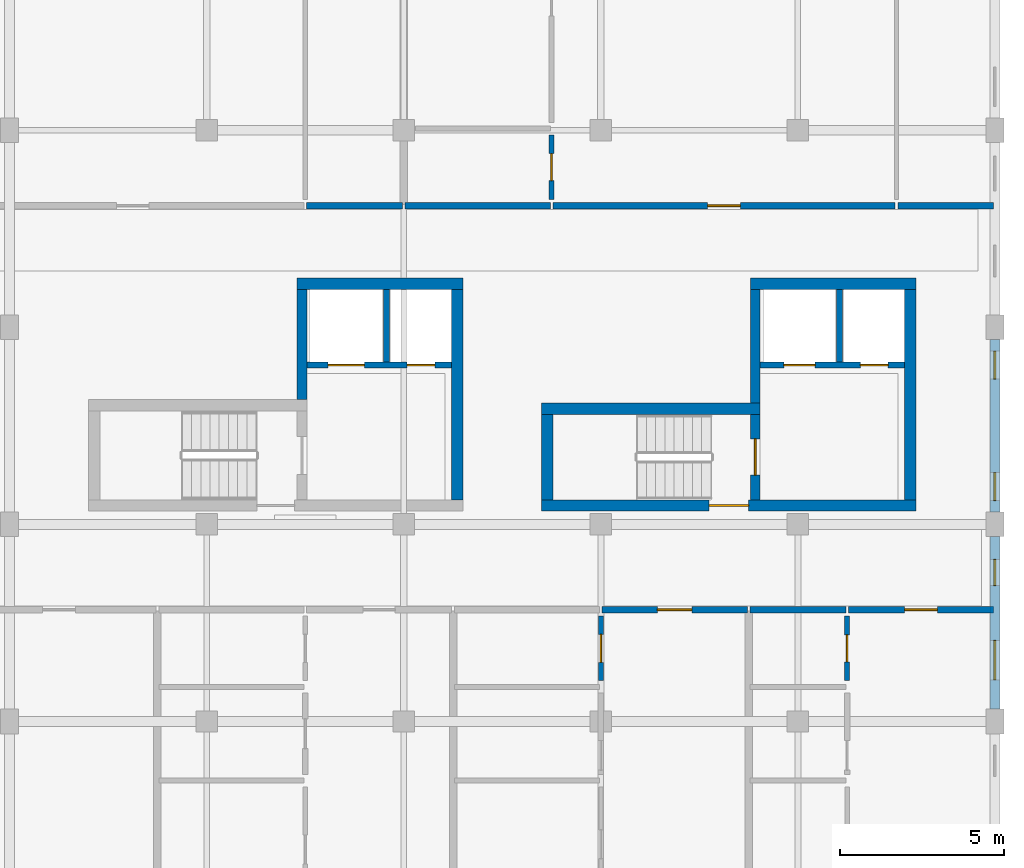
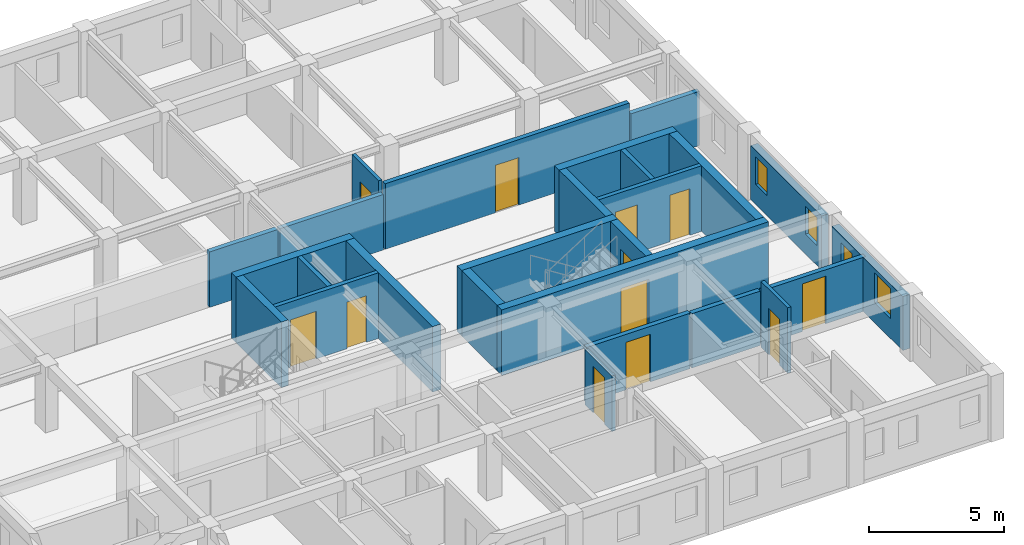
# One storey, part 79 of 100: 26 walls, 12 doors, 4 windows, 16 openings.
"""IFC4 building model written with IfcOpenShell, lengths in metres."""

from ifc_helpers import new_model, si_unit, direction, frame, frame_2d, origin, place, context, subcontext, project, spatial, rectangle, extrude, material, layer, layer_set, type_object, element, fill, save


model = new_model("IFC4")

# Units and contexts
model_context = context("Model", 3, precision=1e-05, world=origin(), true_north=direction((0.0, 1.0)))
body_context = subcontext(model_context, "Body", "Model", "MODEL_VIEW")
ifc_project = project(units=[si_unit("LENGTHUNIT", "METRE"), si_unit("AREAUNIT", "SQUARE_METRE"), si_unit("VOLUMEUNIT", "CUBIC_METRE"), si_unit("PLANEANGLEUNIT", "RADIAN"), si_unit("MASSUNIT", "GRAM", prefix="KILO"), si_unit("POWERUNIT", "WATT"), si_unit("THERMODYNAMICTEMPERATUREUNIT", "KELVIN")], contexts=[model_context])

# Site, building, storey
site_placement = place(None, origin())
site = spatial("IfcSite", under=ifc_project, at=site_placement, CompositionType="ELEMENT")
building_placement = place(site_placement, origin())
building = spatial("IfcBuilding", under=site, at=building_placement, Name="Ruvembo Vaulted Housing Court", CompositionType="ELEMENT")
storey_placement = place(building_placement, frame((0.0, 0.0, 10.89990234375)))
storey = spatial("IfcBuildingStorey", under=building, at=storey_placement, Name="L03", CompositionType="ELEMENT", Elevation=10.89990234375)

# Wall
ifc_material_1 = material(Name="Concrete C35/45", Category="concrete")
ifc_layer_1 = layer(ifc_material_1, 0.300048828125, Name="Concrete C35/45")
ifc_layer_set_1 = layer_set([ifc_layer_1], Name="Concrete C35/45")
wall_type_1 = type_object("IfcWallType", Name="WL-CORE-300", PredefinedType="SHEAR", material=ifc_layer_set_1)
wall_1_placement = place(storey_placement, frame((164.89990234375, 87.800048828125, 0.0), z_axis=(0.0, 0.0, 1.0), x_axis=(0.0, 1.0, 0.0)))
element("IfcWall", 1, at=wall_1_placement, inside=storey, type_object=wall_type_1, Name="Core D1 L03 Upper West Shear Wall", PredefinedType="SHEAR", context=body_context, shape_type="SweptSolid", body=[
    extrude(rectangle(XDim=3.349853515625, YDim=0.300048828125, at=frame_2d((1.6748046875, 0.0))), origin(), (0.0, 0.0, 1.0), 2.960205078125),
])

# Wall, opening, door
wall_2_placement = place(storey_placement, frame((178.699951171875, 84.75, 0.0), z_axis=(0.0, 0.0, 1.0), x_axis=(0.0, 1.0, 0.0)))
wall_2 = element("IfcWall", 2, at=wall_2_placement, inside=storey, type_object=wall_type_1, Name="Core D2 L03 Stair-Lobby Shear Wall", PredefinedType="SHEAR", context=body_context, shape_type="SweptSolid", body=[
    extrude(rectangle(XDim=2.60009765625, YDim=0.300048828125, at=frame_2d((1.300048828125, 0.0))), origin(), (0.0, 0.0, 1.0), 2.960205078125),
])
opening_1_placement = place(wall_2_placement, frame((0.75, 0.0, 0.0)))
opening_1 = element("IfcOpeningElement", 3, at=opening_1_placement, cuts=wall_2, Name="Opening SD2", PredefinedType="OPENING", context=body_context, shape_type="SweptSolid", body=[
    extrude(rectangle(XDim=1.10009765625, YDim=2.14990234375, at=frame_2d((0.550048828125, 1.074951171875))), frame((0.0, 0.159912109375, 0.0), z_axis=(0.0, -1.0, 0.0), x_axis=(1.0, 0.0, 0.0)), (0.0, 0.0, 1.0), 0.320068359375),
])
ifc_material_2 = material(Name="Galvanised Painted Steel", Category="steel")
door_type_1 = type_object("IfcDoorType", Name="DR-STAIR-1100x2150", OperationType="NOTDEFINED", PredefinedType="DOOR", material=ifc_material_2)
door_1_placement = place(opening_1_placement, origin())
door_1 = element("IfcDoor", 4, at=door_1_placement, inside=storey, type_object=door_type_1, Name="Stair ST-D2 L03 Fire Door", OperationType="SINGLE_SWING_RIGHT", OverallHeight=2.14990234375, OverallWidth=1.10009765625, PredefinedType="DOOR", context=body_context, shape_type="SweptSolid", body=[
    extrude(rectangle(XDim=1.10009765625, YDim=2.14990234375, at=frame_2d((0.550048828125, 1.074951171875))), frame((0.0, 0.02490234375, 0.0), z_axis=(0.0, -1.0, 0.0), x_axis=(1.0, 0.0, 0.0)), (0.0, 0.0, 1.0), 0.050048828125),
])
fill(opening_1, door_1)

# Walls
wall_3_placement = place(storey_placement, frame((178.699951171875, 87.699951171875, 0.0), z_axis=(0.0, 0.0, 1.0), x_axis=(0.0, 1.0, 0.0)))
element("IfcWall", 5, at=wall_3_placement, inside=storey, type_object=wall_type_1, Name="Core D2 L03 Upper West Shear Wall", PredefinedType="SHEAR", context=body_context, shape_type="SweptSolid", body=[
    extrude(rectangle(XDim=3.449951171875, YDim=0.300048828125, at=frame_2d((1.72509765625, 0.0))), origin(), (0.0, 0.0, 1.0), 2.960205078125),
])
ifc_layer_2 = layer(ifc_material_1, 0.35009765625, Name="Concrete C35/45")
ifc_layer_set_2 = layer_set([ifc_layer_2], Name="Concrete C35/45")
wall_type_2 = type_object("IfcWallType", Name="WL-CORE-350", PredefinedType="SHEAR", material=ifc_layer_set_2)
wall_4_placement = place(storey_placement, frame((169.800048828125, 91.324951171875, 0.0), z_axis=(0.0, 0.0, 1.0), x_axis=(-1.0, 0.0, 0.0)))
element("IfcWall", 6, at=wall_4_placement, inside=storey, type_object=wall_type_2, Name="Core D1 L03 North Shear Wall", PredefinedType="SHEAR", context=body_context, shape_type="SweptSolid", body=[
    extrude(rectangle(XDim=5.050048828125, YDim=0.35009765625, at=frame_2d((2.52490234375, 0.0))), origin(), (0.0, 0.0, 1.0), 2.960205078125),
])
wall_5_placement = place(storey_placement, frame((169.625, 84.75, 0.0), z_axis=(0.0, 0.0, 1.0), x_axis=(0.0, 1.0, 0.0)))
element("IfcWall", 7, at=wall_5_placement, inside=storey, type_object=wall_type_2, Name="Core D1 L03 East Shear Wall", PredefinedType="SHEAR", context=body_context, shape_type="SweptSolid", body=[
    extrude(rectangle(XDim=6.39990234375, YDim=0.35009765625, at=frame_2d((3.199951171875, 0.0))), origin(), (0.0, 0.0, 1.0), 2.960205078125),
])

# Wall, opening, door
wall_6_placement = place(storey_placement, frame((172.199951171875, 84.574951171875, 0.0), z_axis=(0.0, 0.0, 1.0), x_axis=(1.0, 0.0, 0.0)))
wall_6 = element("IfcWall", 8, at=wall_6_placement, inside=storey, type_object=wall_type_2, Name="Core D2 L03 South Shear Wall", PredefinedType="SHEAR", context=body_context, shape_type="SweptSolid", body=[
    extrude(rectangle(XDim=11.400146484375, YDim=0.35009765625, at=frame_2d((5.7001953125, 0.0))), origin(), (0.0, 0.0, 1.0), 2.960205078125),
])
opening_2_placement = place(wall_6_placement, frame((5.10009765625, 0.0, 0.0)))
opening_2 = element("IfcOpeningElement", 9, at=opening_2_placement, cuts=wall_6, Name="Opening LD3", PredefinedType="OPENING", context=body_context, shape_type="SweptSolid", body=[
    extrude(rectangle(XDim=1.199951171875, YDim=2.14990234375, at=frame_2d((0.60009765625, 1.074951171875))), frame((0.0, 0.18505859375, 0.0), z_axis=(0.0, -1.0, 0.0), x_axis=(1.0, 0.0, 0.0)), (0.0, 0.0, 1.0), 0.3701171875),
])
door_type_2 = type_object("IfcDoorType", Name="DR-LOB-1200x2150", OperationType="NOTDEFINED", PredefinedType="DOOR", material=ifc_material_2)
door_2_placement = place(opening_2_placement, origin())
door_2 = element("IfcDoor", 10, at=door_2_placement, inside=storey, type_object=door_type_2, Name="Core D2 L03 Lobby Fire Door", OperationType="SINGLE_SWING_LEFT", OverallHeight=2.14990234375, OverallWidth=1.199951171875, PredefinedType="DOOR", context=body_context, shape_type="SweptSolid", body=[
    extrude(rectangle(XDim=1.199951171875, YDim=2.14990234375, at=frame_2d((0.60009765625, 1.074951171875))), frame((0.0, 0.02490234375, 0.0), z_axis=(0.0, -1.0, 0.0), x_axis=(1.0, 0.0, 0.0)), (0.0, 0.0, 1.0), 0.050048828125),
])
fill(opening_2, door_2)

# Walls
wall_7_placement = place(storey_placement, frame((178.85009765625, 87.52490234375, 0.0), z_axis=(0.0, 0.0, 1.0), x_axis=(-1.0, 0.0, 0.0)))
element("IfcWall", 11, at=wall_7_placement, inside=storey, type_object=wall_type_2, Name="Core D2 L03 Stair North Shear Wall", PredefinedType="SHEAR", context=body_context, shape_type="SweptSolid", body=[
    extrude(rectangle(XDim=6.650146484375, YDim=0.35009765625, at=frame_2d((3.3251953125, 0.0))), origin(), (0.0, 0.0, 1.0), 2.960205078125),
])
wall_8_placement = place(storey_placement, frame((172.375, 87.35009765625, 0.0), z_axis=(0.0, 0.0, 1.0), x_axis=(0.0, -1.0, 0.0)))
element("IfcWall", 12, at=wall_8_placement, inside=storey, type_object=wall_type_2, Name="Core D2 L03 Stair West Shear Wall", PredefinedType="SHEAR", context=body_context, shape_type="SweptSolid", body=[
    extrude(rectangle(XDim=2.60009765625, YDim=0.35009765625, at=frame_2d((1.300048828125, 0.0))), origin(), (0.0, 0.0, 1.0), 2.960205078125),
])
wall_9_placement = place(storey_placement, frame((183.60009765625, 91.324951171875, 0.0), z_axis=(0.0, 0.0, 1.0), x_axis=(-1.0, 0.0, 0.0)))
element("IfcWall", 13, at=wall_9_placement, inside=storey, type_object=wall_type_2, Name="Core D2 L03 North Shear Wall", PredefinedType="SHEAR", context=body_context, shape_type="SweptSolid", body=[
    extrude(rectangle(XDim=5.050048828125, YDim=0.35009765625, at=frame_2d((2.52490234375, 0.0))), origin(), (0.0, 0.0, 1.0), 2.960205078125),
])
wall_10_placement = place(storey_placement, frame((183.425048828125, 84.75, 0.0), z_axis=(0.0, 0.0, 1.0), x_axis=(0.0, 1.0, 0.0)))
element("IfcWall", 14, at=wall_10_placement, inside=storey, type_object=wall_type_2, Name="Core D2 L03 East Shear Wall", PredefinedType="SHEAR", context=body_context, shape_type="SweptSolid", body=[
    extrude(rectangle(XDim=6.39990234375, YDim=0.35009765625, at=frame_2d((3.199951171875, 0.0))), origin(), (0.0, 0.0, 1.0), 2.960205078125),
])

# Wall, opening, door
ifc_material_3 = material(Name="Concrete Blockwork 200", Category="masonry")
ifc_layer_3 = layer(ifc_material_3, 0.199951171875, Name="Concrete Blockwork 200")
ifc_layer_set_3 = layer_set([ifc_layer_3], Name="Concrete Blockwork 200")
wall_type_3 = type_object("IfcWallType", Name="WL-CORR-200", PredefinedType="SOLIDWALL", material=ifc_layer_set_3)
wall_11_placement = place(storey_placement, frame((174.0400390625, 81.39990234375, 0.0), z_axis=(0.0, 0.0, 1.0), x_axis=(1.0, 0.0, 0.0)))
wall_11 = element("IfcWall", 15, at=wall_11_placement, inside=storey, type_object=wall_type_3, Name="L03 Flat D-L03-S3 Entrance WL-INT-L03-00943", PredefinedType="SOLIDWALL", context=body_context, shape_type="SweptSolid", body=[
    extrude(rectangle(XDim=4.419921875, YDim=0.199951171875, at=frame_2d((2.2099609375, 0.0))), origin(), (0.0, 0.0, 1.0), 2.508056640625),
])
opening_3_placement = place(wall_11_placement, frame((1.68505859375, 0.0, 0.0)))
opening_3 = element("IfcOpeningElement", 16, at=opening_3_placement, cuts=wall_11, Name="Opening FD3", PredefinedType="OPENING", context=body_context, shape_type="SweptSolid", body=[
    extrude(rectangle(XDim=1.050048828125, YDim=2.14990234375, at=frame_2d((0.52490234375, 1.074951171875))), frame((0.0, 0.10986328125, 0.0), z_axis=(0.0, -1.0, 0.0), x_axis=(1.0, 0.0, 0.0)), (0.0, 0.0, 1.0), 0.219970703125),
])
ifc_material_4 = material(Name="FSC Hardwood and Engineered Timber", Category="wood")
door_type_3 = type_object("IfcDoorType", Name="DR-FLAT-1050x2150", OperationType="NOTDEFINED", PredefinedType="DOOR", material=ifc_material_4)
door_3_placement = place(opening_3_placement, origin())
door_3 = element("IfcDoor", 17, at=door_3_placement, inside=storey, type_object=door_type_3, Name="L03 Flat D-L03-S3 Entrance Door DR-INT-L03-00518", OperationType="SINGLE_SWING_RIGHT", OverallHeight=2.14990234375, OverallWidth=1.050048828125, PredefinedType="DOOR", context=body_context, shape_type="SweptSolid", body=[
    extrude(rectangle(XDim=1.050048828125, YDim=2.14990234375, at=frame_2d((0.52490234375, 1.074951171875))), frame((0.0, 0.02490234375, 0.0), z_axis=(0.0, -1.0, 0.0), x_axis=(1.0, 0.0, 0.0)), (0.0, 0.0, 1.0), 0.050048828125),
])
fill(opening_3, door_3)

# Wall
wall_12_placement = place(storey_placement, frame((178.5400390625, 81.39990234375, 0.0), z_axis=(0.0, 0.0, 1.0), x_axis=(1.0, 0.0, 0.0)))
element("IfcWall", 18, at=wall_12_placement, inside=storey, type_object=wall_type_3, Name="L03 Flat D-L03-S4 Corridor Wall WL-INT-L03-00949", PredefinedType="SOLIDWALL", context=body_context, shape_type="SweptSolid", body=[
    extrude(rectangle(XDim=2.919921875, YDim=0.199951171875, at=frame_2d((1.4599609375, 0.0))), origin(), (0.0, 0.0, 1.0), 2.4580078125),
])

# Wall, opening, door
wall_13_placement = place(storey_placement, frame((181.5400390625, 81.39990234375, 0.0), z_axis=(0.0, 0.0, 1.0), x_axis=(1.0, 0.0, 0.0)))
wall_13 = element("IfcWall", 19, at=wall_13_placement, inside=storey, type_object=wall_type_3, Name="L03 Flat D-L03-S4 Entrance WL-INT-L03-00950", PredefinedType="SOLIDWALL", context=body_context, shape_type="SweptSolid", body=[
    extrude(rectangle(XDim=4.419921875, YDim=0.199951171875, at=frame_2d((2.2099609375, 0.0))), origin(), (0.0, 0.0, 1.0), 2.442138671875),
])
opening_4_placement = place(wall_13_placement, frame((1.7099609375, 0.0, 0.0)))
opening_4 = element("IfcOpeningElement", 20, at=opening_4_placement, cuts=wall_13, Name="Opening FD1", PredefinedType="OPENING", context=body_context, shape_type="SweptSolid", body=[
    extrude(rectangle(XDim=1.0, YDim=2.14990234375, at=frame_2d((0.5, 1.074951171875))), frame((0.0, 0.10986328125, 0.0), z_axis=(0.0, -1.0, 0.0), x_axis=(1.0, 0.0, 0.0)), (0.0, 0.0, 1.0), 0.219970703125),
])
door_type_4 = type_object("IfcDoorType", Name="DR-FLAT-1000x2150", OperationType="NOTDEFINED", PredefinedType="DOOR", material=ifc_material_4)
door_4_placement = place(opening_4_placement, origin())
door_4 = element("IfcDoor", 21, at=door_4_placement, inside=storey, type_object=door_type_4, Name="L03 Flat D-L03-S4 Entrance Door DR-INT-L03-00522", OperationType="SINGLE_SWING_RIGHT", OverallHeight=2.14990234375, OverallWidth=1.0, PredefinedType="DOOR", context=body_context, shape_type="SweptSolid", body=[
    extrude(rectangle(XDim=1.0, YDim=2.14990234375, at=frame_2d((0.5, 1.074951171875))), frame((0.0, 0.02490234375, 0.0), z_axis=(0.0, -1.0, 0.0), x_axis=(1.0, 0.0, 0.0)), (0.0, 0.0, 1.0), 0.050048828125),
])
fill(opening_4, door_4)

# Walls
wall_14_placement = place(storey_placement, frame((165.0400390625, 93.699951171875, 0.0), z_axis=(0.0, 0.0, 1.0), x_axis=(1.0, 0.0, 0.0)))
element("IfcWall", 22, at=wall_14_placement, inside=storey, type_object=wall_type_3, Name="L03 Flat D-L03-N1 Corridor Wall 2 WL-INT-L03-00964", PredefinedType="SOLIDWALL", context=body_context, shape_type="SweptSolid", body=[
    extrude(rectangle(XDim=2.919921875, YDim=0.199951171875, at=frame_2d((1.4599609375, 0.0))), origin(), (0.0, 0.0, 1.0), 2.508056640625),
])
wall_15_placement = place(storey_placement, frame((168.0400390625, 93.699951171875, 0.0), z_axis=(0.0, 0.0, 1.0), x_axis=(1.0, 0.0, 0.0)))
element("IfcWall", 23, at=wall_15_placement, inside=storey, type_object=wall_type_3, Name="L03 Flat D-L03-N2 Corridor Wall WL-INT-L03-00966", PredefinedType="SOLIDWALL", context=body_context, shape_type="SweptSolid", body=[
    extrude(rectangle(XDim=4.419921875, YDim=0.199951171875, at=frame_2d((2.2099609375, 0.0))), origin(), (0.0, 0.0, 1.0), 2.508056640625),
])

# Wall, opening, door
wall_16_placement = place(storey_placement, frame((172.5400390625, 93.699951171875, 0.0), z_axis=(0.0, 0.0, 1.0), x_axis=(1.0, 0.0, 0.0)))
wall_16 = element("IfcWall", 24, at=wall_16_placement, inside=storey, type_object=wall_type_3, Name="L03 Flat D-L03-N2 Entrance WL-INT-L03-00967", PredefinedType="SOLIDWALL", context=body_context, shape_type="SweptSolid", body=[
    extrude(rectangle(XDim=10.419921875, YDim=0.199951171875, at=frame_2d((5.2099609375, 0.0))), origin(), (0.0, 0.0, 1.0), 2.960205078125),
])
opening_5_placement = place(wall_16_placement, frame((4.7099609375, 0.0, 0.0)))
opening_5 = element("IfcOpeningElement", 25, at=opening_5_placement, cuts=wall_16, Name="Opening FD1", PredefinedType="OPENING", context=body_context, shape_type="SweptSolid", body=[
    extrude(rectangle(XDim=1.0, YDim=2.14990234375, at=frame_2d((0.5, 1.074951171875))), frame((0.0, 0.10986328125, 0.0), z_axis=(0.0, -1.0, 0.0), x_axis=(1.0, 0.0, 0.0)), (0.0, 0.0, 1.0), 0.219970703125),
])
door_5_placement = place(opening_5_placement, origin())
door_5 = element("IfcDoor", 26, at=door_5_placement, inside=storey, type_object=door_type_4, Name="L03 Flat D-L03-N2 Entrance Door DR-INT-L03-00531", OperationType="SINGLE_SWING_LEFT", OverallHeight=2.14990234375, OverallWidth=1.0, PredefinedType="DOOR", context=body_context, shape_type="SweptSolid", body=[
    extrude(rectangle(XDim=1.0, YDim=2.14990234375, at=frame_2d((0.5, 1.074951171875))), frame((0.0, 0.02490234375, 0.0), z_axis=(0.0, -1.0, 0.0), x_axis=(1.0, 0.0, 0.0)), (0.0, 0.0, 1.0), 0.050048828125),
])
fill(opening_5, door_5)

# Wall
wall_17_placement = place(storey_placement, frame((183.0400390625, 93.699951171875, 0.0), z_axis=(0.0, 0.0, 1.0), x_axis=(1.0, 0.0, 0.0)))
element("IfcWall", 27, at=wall_17_placement, inside=storey, type_object=wall_type_3, Name="L03 Flat D-L03-N2 Corridor Wall 2 WL-INT-L03-00973", PredefinedType="SOLIDWALL", context=body_context, shape_type="SweptSolid", body=[
    extrude(rectangle(XDim=2.919921875, YDim=0.199951171875, at=frame_2d((1.4599609375, 0.0))), origin(), (0.0, 0.0, 1.0), 2.442138671875),
])

# Wall, openings, windows
ifc_material_5 = material(Name="Rendered Masonry 300", Category="masonry")
ifc_layer_4 = layer(ifc_material_5, 0.300048828125, Name="Rendered Masonry 300")
ifc_layer_set_4 = layer_set([ifc_layer_4], Name="Rendered Masonry 300")
wall_type_4 = type_object("IfcWallType", Name="WL-EXT-300", PredefinedType="STANDARD", material=ifc_layer_set_4)
wall_18_placement = place(storey_placement, frame((186.0, 78.375, 0.0), z_axis=(0.0, 0.0, 1.0), x_axis=(0.0, 1.0, 0.0)))
wall_18 = element("IfcWall", 28, at=wall_18_placement, inside=storey, type_object=wall_type_4, Name="Block D L03 Exterior Wall EAST #2", PredefinedType="STANDARD", context=body_context, shape_type="SweptSolid", body=[
    extrude(rectangle(XDim=5.25, YDim=0.300048828125, at=frame_2d((2.625, 0.0))), origin(), (0.0, 0.0, 1.0), 2.442138671875),
])
opening_6_placement = place(wall_18_placement, frame((0.892578125, 0.0, 0.89990234375)))
opening_6 = element("IfcOpeningElement", 29, at=opening_6_placement, cuts=wall_18, Name="Opening W12", PredefinedType="OPENING", context=body_context, shape_type="SweptSolid", body=[
    extrude(rectangle(XDim=1.199951171875, YDim=1.35009765625, at=frame_2d((0.60009765625, 0.675048828125))), frame((0.0, 0.159912109375, 0.0), z_axis=(0.0, -1.0, 0.0), x_axis=(1.0, 0.0, 0.0)), (0.0, 0.0, 1.0), 0.320068359375),
])
opening_7_placement = place(wall_18_placement, frame((3.757568359375, 0.0, 0.89990234375)))
opening_7 = element("IfcOpeningElement", 30, at=opening_7_placement, cuts=wall_18, Name="Opening W02", PredefinedType="OPENING", context=body_context, shape_type="SweptSolid", body=[
    extrude(rectangle(XDim=0.800048828125, YDim=1.199951171875, at=frame_2d((0.39990234375, 0.60009765625))), frame((0.0, 0.159912109375, 0.0), z_axis=(0.0, -1.0, 0.0), x_axis=(1.0, 0.0, 0.0)), (0.0, 0.0, 1.0), 0.320068359375),
])
ifc_material_6 = material(Name="Double Solar-Control Glazing in Aluminium Frame", Category="aluminium")
window_type_1 = type_object("IfcWindowType", Name="WIN-0800x1200", PartitioningType="SINGLE_PANEL", PredefinedType="WINDOW", material=ifc_material_6)
window_1_placement = place(opening_7_placement, origin())
window_1 = element("IfcWindow", 31, at=window_1_placement, inside=storey, type_object=window_type_1, Name="Block D L03 Window #1590", OverallHeight=1.199951171875, OverallWidth=0.800048828125, PartitioningType="SINGLE_PANEL", PredefinedType="WINDOW", context=body_context, shape_type="SweptSolid", body=[
    extrude(rectangle(XDim=0.800048828125, YDim=1.199951171875, at=frame_2d((0.39990234375, 0.60009765625))), frame((0.0, 0.030029296875, 0.0), z_axis=(0.0, -1.0, 0.0), x_axis=(1.0, 0.0, 0.0)), (0.0, 0.0, 1.0), 0.06005859375),
])
fill(opening_7, window_1)
window_type_2 = type_object("IfcWindowType", Name="WIN-1200x1350", PartitioningType="SINGLE_PANEL", PredefinedType="WINDOW", material=ifc_material_6)
window_2_placement = place(opening_6_placement, origin())
window_2 = element("IfcWindow", 32, at=window_2_placement, inside=storey, type_object=window_type_2, Name="Block D L03 Window #1589", OverallHeight=1.35009765625, OverallWidth=1.199951171875, PartitioningType="SINGLE_PANEL", PredefinedType="WINDOW", context=body_context, shape_type="SweptSolid", body=[
    extrude(rectangle(XDim=1.199951171875, YDim=1.35009765625, at=frame_2d((0.60009765625, 0.675048828125))), frame((0.0, 0.030029296875, 0.0), z_axis=(0.0, -1.0, 0.0), x_axis=(1.0, 0.0, 0.0)), (0.0, 0.0, 1.0), 0.06005859375),
])
fill(opening_6, window_2)

wall_19_placement = place(storey_placement, frame((186.0, 84.375, 0.0), z_axis=(0.0, 0.0, 1.0), x_axis=(0.0, 1.0, 0.0)))
wall_19 = element("IfcWall", 33, at=wall_19_placement, inside=storey, type_object=wall_type_4, Name="Block D L03 Exterior Wall EAST #3", PredefinedType="STANDARD", context=body_context, shape_type="SweptSolid", body=[
    extrude(rectangle(XDim=5.25, YDim=0.300048828125, at=frame_2d((2.625, 0.0))), origin(), (0.0, 0.0, 1.0), 2.442138671875),
])
opening_8_placement = place(wall_19_placement, frame((0.35009765625, 0.0, 0.89990234375)))
opening_8 = element("IfcOpeningElement", 34, at=opening_8_placement, cuts=wall_19, Name="Opening W03", PredefinedType="OPENING", context=body_context, shape_type="SweptSolid", body=[
    extrude(rectangle(XDim=0.85009765625, YDim=1.25, at=frame_2d((0.425048828125, 0.625))), frame((0.0, 0.159912109375, 0.0), z_axis=(0.0, -1.0, 0.0), x_axis=(1.0, 0.0, 0.0)), (0.0, 0.0, 1.0), 0.320068359375),
])
opening_9_placement = place(wall_19_placement, frame((4.050048828125, 0.0, 0.89990234375)))
opening_9 = element("IfcOpeningElement", 35, at=opening_9_placement, cuts=wall_19, Name="Opening W03", PredefinedType="OPENING", context=body_context, shape_type="SweptSolid", body=[
    extrude(rectangle(XDim=0.85009765625, YDim=1.25, at=frame_2d((0.425048828125, 0.625))), frame((0.0, 0.159912109375, 0.0), z_axis=(0.0, -1.0, 0.0), x_axis=(1.0, 0.0, 0.0)), (0.0, 0.0, 1.0), 0.320068359375),
])
window_type_3 = type_object("IfcWindowType", Name="WIN-0850x1250", PartitioningType="SINGLE_PANEL", PredefinedType="WINDOW", material=ifc_material_6)
window_3_placement = place(opening_8_placement, origin())
window_3 = element("IfcWindow", 36, at=window_3_placement, inside=storey, type_object=window_type_3, Name="Block D L03 Window #1591", OverallHeight=1.25, OverallWidth=0.85009765625, PartitioningType="SINGLE_PANEL", PredefinedType="WINDOW", context=body_context, shape_type="SweptSolid", body=[
    extrude(rectangle(XDim=0.85009765625, YDim=1.25, at=frame_2d((0.425048828125, 0.625))), frame((0.0, 0.030029296875, 0.0), z_axis=(0.0, -1.0, 0.0), x_axis=(1.0, 0.0, 0.0)), (0.0, 0.0, 1.0), 0.06005859375),
])
fill(opening_8, window_3)
window_4_placement = place(opening_9_placement, origin())
window_4 = element("IfcWindow", 37, at=window_4_placement, inside=storey, type_object=window_type_3, Name="Block D L03 Window #1592", OverallHeight=1.25, OverallWidth=0.85009765625, PartitioningType="SINGLE_PANEL", PredefinedType="WINDOW", context=body_context, shape_type="SweptSolid", body=[
    extrude(rectangle(XDim=0.85009765625, YDim=1.25, at=frame_2d((0.425048828125, 0.625))), frame((0.0, 0.030029296875, 0.0), z_axis=(0.0, -1.0, 0.0), x_axis=(1.0, 0.0, 0.0)), (0.0, 0.0, 1.0), 0.06005859375),
])
fill(opening_9, window_4)

# Wall, opening, door
ifc_material_7 = material(Name="Moisture-Resistant Wet Partition 150", Category="gypsum")
ifc_layer_5 = layer(ifc_material_7, 0.14990234375, Name="Moisture-Resistant Wet Partition 150")
ifc_layer_set_5 = layer_set([ifc_layer_5], Name="Moisture-Resistant Wet Partition 150")
wall_type_5 = type_object("IfcWallType", Name="WL-PART-150", PredefinedType="PARTITIONING", material=ifc_layer_set_5)
wall_20_placement = place(storey_placement, frame((174.0, 79.239990234375, 0.0), z_axis=(0.0, 0.0, 1.0), x_axis=(0.0, 1.0, 0.0)))
wall_20 = element("IfcWall", 38, at=wall_20_placement, inside=storey, type_object=wall_type_5, Name="L03 Flat D-L03-S3 Bathroom WL-INT-L03-00946", PredefinedType="PARTITIONING", context=body_context, shape_type="SweptSolid", body=[
    extrude(rectangle(XDim=1.969970703125, YDim=0.14990234375, at=frame_2d((0.98486328125, 0.0))), origin(), (0.0, 0.0, 1.0), 2.508056640625),
])
opening_10_placement = place(wall_20_placement, frame((0.56005859375, 0.0, 0.0)))
opening_10 = element("IfcOpeningElement", 39, at=opening_10_placement, cuts=wall_20, Name="Opening ID2", PredefinedType="OPENING", context=body_context, shape_type="SweptSolid", body=[
    extrude(rectangle(XDim=0.85009765625, YDim=2.10009765625, at=frame_2d((0.425048828125, 1.050048828125))), frame((0.0, 0.0849609375, 0.0), z_axis=(0.0, -1.0, 0.0), x_axis=(1.0, 0.0, 0.0)), (0.0, 0.0, 1.0), 0.169921875),
])
door_type_5 = type_object("IfcDoorType", Name="DR-WET-0850x2100", OperationType="NOTDEFINED", PredefinedType="DOOR", material=ifc_material_4)
door_6_placement = place(opening_10_placement, origin())
door_6 = element("IfcDoor", 40, at=door_6_placement, inside=storey, type_object=door_type_5, Name="L03 Flat D-L03-S3 Bathroom Door DR-INT-L03-00521", OperationType="SINGLE_SWING_LEFT", OverallHeight=2.10009765625, OverallWidth=0.85009765625, PredefinedType="DOOR", context=body_context, shape_type="SweptSolid", body=[
    extrude(rectangle(XDim=0.85009765625, YDim=2.10009765625, at=frame_2d((0.425048828125, 1.050048828125))), frame((0.0, 0.02490234375, 0.0), z_axis=(0.0, -1.0, 0.0), x_axis=(1.0, 0.0, 0.0)), (0.0, 0.0, 1.0), 0.050048828125),
])
fill(opening_10, door_6)

wall_21_placement = place(storey_placement, frame((181.5, 79.239990234375, 0.0), z_axis=(0.0, 0.0, 1.0), x_axis=(0.0, 1.0, 0.0)))
wall_21 = element("IfcWall", 41, at=wall_21_placement, inside=storey, type_object=wall_type_5, Name="L03 Flat D-L03-S4 Bathroom WL-INT-L03-00953", PredefinedType="PARTITIONING", context=body_context, shape_type="SweptSolid", body=[
    extrude(rectangle(XDim=1.969970703125, YDim=0.14990234375, at=frame_2d((0.98486328125, 0.0))), origin(), (0.0, 0.0, 1.0), 2.960205078125),
])
opening_11_placement = place(wall_21_placement, frame((0.574951171875, 0.0, 0.0)))
opening_11 = element("IfcOpeningElement", 42, at=opening_11_placement, cuts=wall_21, Name="Opening ID4", PredefinedType="OPENING", context=body_context, shape_type="SweptSolid", body=[
    extrude(rectangle(XDim=0.820068359375, YDim=2.080078125, at=frame_2d((0.41015625, 1.0400390625))), frame((0.0, 0.0849609375, 0.0), z_axis=(0.0, -1.0, 0.0), x_axis=(1.0, 0.0, 0.0)), (0.0, 0.0, 1.0), 0.169921875),
])
door_type_6 = type_object("IfcDoorType", Name="DR-WET-0820x2080", OperationType="NOTDEFINED", PredefinedType="DOOR", material=ifc_material_4)
door_7_placement = place(opening_11_placement, origin())
door_7 = element("IfcDoor", 43, at=door_7_placement, inside=storey, type_object=door_type_6, Name="L03 Flat D-L03-S4 Bathroom Door DR-INT-L03-00525", OperationType="SINGLE_SWING_LEFT", OverallHeight=2.080078125, OverallWidth=0.820068359375, PredefinedType="DOOR", context=body_context, shape_type="SweptSolid", body=[
    extrude(rectangle(XDim=0.820068359375, YDim=2.080078125, at=frame_2d((0.41015625, 1.0400390625))), frame((0.0, 0.02490234375, 0.0), z_axis=(0.0, -1.0, 0.0), x_axis=(1.0, 0.0, 0.0)), (0.0, 0.0, 1.0), 0.050048828125),
])
fill(opening_11, door_7)

wall_22_placement = place(storey_placement, frame((172.5, 93.889892578125, 0.0), z_axis=(0.0, 0.0, 1.0), x_axis=(0.0, 1.0, 0.0)))
wall_22 = element("IfcWall", 44, at=wall_22_placement, inside=storey, type_object=wall_type_5, Name="L03 Flat D-L03-N2 Bathroom WL-INT-L03-00970", PredefinedType="PARTITIONING", context=body_context, shape_type="SweptSolid", body=[
    extrude(rectangle(XDim=1.97021484375, YDim=0.14990234375, at=frame_2d((0.985107421875, 0.0))), origin(), (0.0, 0.0, 1.0), 2.960205078125),
])
opening_12_placement = place(wall_22_placement, frame((0.574951171875, 0.0, 0.0)))
opening_12 = element("IfcOpeningElement", 45, at=opening_12_placement, cuts=wall_22, Name="Opening ID4", PredefinedType="OPENING", context=body_context, shape_type="SweptSolid", body=[
    extrude(rectangle(XDim=0.820068359375, YDim=2.080078125, at=frame_2d((0.41015625, 1.0400390625))), frame((0.0, 0.0849609375, 0.0), z_axis=(0.0, -1.0, 0.0), x_axis=(1.0, 0.0, 0.0)), (0.0, 0.0, 1.0), 0.169921875),
])
door_8_placement = place(opening_12_placement, origin())
door_8 = element("IfcDoor", 46, at=door_8_placement, inside=storey, type_object=door_type_6, Name="L03 Flat D-L03-N2 Bathroom Door DR-INT-L03-00534", OperationType="SINGLE_SWING_RIGHT", OverallHeight=2.080078125, OverallWidth=0.820068359375, PredefinedType="DOOR", context=body_context, shape_type="SweptSolid", body=[
    extrude(rectangle(XDim=0.820068359375, YDim=2.080078125, at=frame_2d((0.41015625, 1.0400390625))), frame((0.0, 0.02490234375, 0.0), z_axis=(0.0, -1.0, 0.0), x_axis=(1.0, 0.0, 0.0)), (0.0, 0.0, 1.0), 0.050048828125),
])
fill(opening_12, door_8)

# Wall, openings, doors
ifc_material_8 = material(Name="Fire-Rated Masonry Shaft 180", Category="masonry")
ifc_layer_6 = layer(ifc_material_8, 0.179931640625, Name="Fire-Rated Masonry Shaft 180")
ifc_layer_set_6 = layer_set([ifc_layer_6], Name="Fire-Rated Masonry Shaft 180")
wall_type_6 = type_object("IfcWallType", Name="WL-SHAFT-180", PredefinedType="SOLIDWALL", material=ifc_layer_set_6)
wall_23_placement = place(storey_placement, frame((165.050048828125, 88.85009765625, 0.0), z_axis=(0.0, 0.0, 1.0), x_axis=(1.0, 0.0, 0.0)))
wall_23 = element("IfcWall", 47, at=wall_23_placement, inside=storey, type_object=wall_type_6, Name="Core D1 L03 Lift and Riser Front Wall", PredefinedType="SOLIDWALL", context=body_context, shape_type="SweptSolid", body=[
    extrude(rectangle(XDim=4.39990234375, YDim=0.179931640625, at=frame_2d((2.199951171875, 0.0))), origin(), (0.0, 0.0, 1.0), 2.960205078125),
])
opening_13_placement = place(wall_23_placement, frame((0.64990234375, 0.0, 0.0)))
opening_13 = element("IfcOpeningElement", 48, at=opening_13_placement, cuts=wall_23, Name="Opening LD-LP-D1-L03", PredefinedType="OPENING", context=body_context, shape_type="SweptSolid", body=[
    extrude(rectangle(XDim=1.10009765625, YDim=2.14990234375, at=frame_2d((0.550048828125, 1.074951171875))), frame((0.0, 0.099853515625, 0.0), z_axis=(0.0, -1.0, 0.0), x_axis=(1.0, 0.0, 0.0)), (0.0, 0.0, 1.0), 0.199951171875),
])
opening_14_placement = place(wall_23_placement, frame((3.050048828125, 0.0, 0.0)))
opening_14 = element("IfcOpeningElement", 49, at=opening_14_placement, cuts=wall_23, Name="Opening RD1", PredefinedType="OPENING", context=body_context, shape_type="SweptSolid", body=[
    extrude(rectangle(XDim=0.85009765625, YDim=2.10009765625, at=frame_2d((0.425048828125, 1.050048828125))), frame((0.0, 0.099853515625, 0.0), z_axis=(0.0, -1.0, 0.0), x_axis=(1.0, 0.0, 0.0)), (0.0, 0.0, 1.0), 0.199951171875),
])
ifc_material_9 = material(Name="Brushed Stainless Steel 304", Category="steel")
door_type_7 = type_object("IfcDoorType", Name="DR-LIFT-1100x2150", OperationType="NOTDEFINED", PredefinedType="DOOR", material=ifc_material_9)
door_9_placement = place(opening_13_placement, origin())
door_9 = element("IfcDoor", 50, at=door_9_placement, inside=storey, type_object=door_type_7, Name="Lift LP-D1 L03 Sliding Landing Door", OperationType="SLIDING_TO_LEFT", OverallHeight=2.14990234375, OverallWidth=1.10009765625, PredefinedType="DOOR", context=body_context, shape_type="SweptSolid", body=[
    extrude(rectangle(XDim=1.10009765625, YDim=2.14990234375, at=frame_2d((0.550048828125, 1.074951171875))), frame((0.0, 0.02490234375, 0.0), z_axis=(0.0, -1.0, 0.0), x_axis=(1.0, 0.0, 0.0)), (0.0, 0.0, 1.0), 0.050048828125),
])
fill(opening_13, door_9)
door_type_8 = type_object("IfcDoorType", Name="DR-RISER-0850x2100", OperationType="NOTDEFINED", PredefinedType="DOOR", material=ifc_material_2)
door_10_placement = place(opening_14_placement, frame((0.85009765625, 0.0, 0.0), z_axis=(0.0, 0.0, 1.0), x_axis=(-1.0, 0.0, 0.0)))
door_10 = element("IfcDoor", 51, at=door_10_placement, inside=storey, type_object=door_type_8, Name="Core D1 L03 Service Riser Door", OperationType="SINGLE_SWING_LEFT", OverallHeight=2.10009765625, OverallWidth=0.85009765625, PredefinedType="DOOR", context=body_context, shape_type="SweptSolid", body=[
    extrude(rectangle(XDim=0.85009765625, YDim=2.10009765625, at=frame_2d((0.425048828125, 1.050048828125))), frame((0.0, 0.02490234375, 0.0), z_axis=(0.0, -1.0, 0.0), x_axis=(1.0, 0.0, 0.0)), (0.0, 0.0, 1.0), 0.050048828125),
])
fill(opening_14, door_10)

# Wall
wall_24_placement = place(storey_placement, frame((167.469970703125, 88.93994140625, 0.0), z_axis=(0.0, 0.0, 1.0), x_axis=(0.0, 1.0, 0.0)))
element("IfcWall", 52, at=wall_24_placement, inside=storey, type_object=wall_type_6, Name="Core D1 L03 Shaft-Riser Divider Wall", PredefinedType="SOLIDWALL", context=body_context, shape_type="SweptSolid", body=[
    extrude(rectangle(XDim=2.2099609375, YDim=0.179931640625, at=frame_2d((1.10498046875, 0.0))), origin(), (0.0, 0.0, 1.0), 2.960205078125),
])

# Wall, openings, doors
wall_25_placement = place(storey_placement, frame((178.85009765625, 88.85009765625, 0.0), z_axis=(0.0, 0.0, 1.0), x_axis=(1.0, 0.0, 0.0)))
wall_25 = element("IfcWall", 53, at=wall_25_placement, inside=storey, type_object=wall_type_6, Name="Core D2 L03 Lift and Riser Front Wall", PredefinedType="SOLIDWALL", context=body_context, shape_type="SweptSolid", body=[
    extrude(rectangle(XDim=4.39990234375, YDim=0.179931640625, at=frame_2d((2.199951171875, 0.0))), origin(), (0.0, 0.0, 1.0), 2.960205078125),
])
opening_15_placement = place(wall_25_placement, frame((0.72509765625, 0.0, 0.0)))
opening_15 = element("IfcOpeningElement", 54, at=opening_15_placement, cuts=wall_25, Name="Opening LD-LP-D2-L03", PredefinedType="OPENING", context=body_context, shape_type="SweptSolid", body=[
    extrude(rectangle(XDim=0.949951171875, YDim=2.14990234375, at=frame_2d((0.47509765625, 1.074951171875))), frame((0.0, 0.099853515625, 0.0), z_axis=(0.0, -1.0, 0.0), x_axis=(1.0, 0.0, 0.0)), (0.0, 0.0, 1.0), 0.199951171875),
])
opening_16_placement = place(wall_25_placement, frame((3.050048828125, 0.0, 0.0)))
opening_16 = element("IfcOpeningElement", 55, at=opening_16_placement, cuts=wall_25, Name="Opening RD1", PredefinedType="OPENING", context=body_context, shape_type="SweptSolid", body=[
    extrude(rectangle(XDim=0.85009765625, YDim=2.10009765625, at=frame_2d((0.425048828125, 1.050048828125))), frame((0.0, 0.099853515625, 0.0), z_axis=(0.0, -1.0, 0.0), x_axis=(1.0, 0.0, 0.0)), (0.0, 0.0, 1.0), 0.199951171875),
])
door_type_9 = type_object("IfcDoorType", Name="DR-LIFT-0950x2150", OperationType="NOTDEFINED", PredefinedType="DOOR", material=ifc_material_9)
door_11_placement = place(opening_15_placement, origin())
door_11 = element("IfcDoor", 56, at=door_11_placement, inside=storey, type_object=door_type_9, Name="Lift LP-D2 L03 Sliding Landing Door", OperationType="SLIDING_TO_LEFT", OverallHeight=2.14990234375, OverallWidth=0.949951171875, PredefinedType="DOOR", context=body_context, shape_type="SweptSolid", body=[
    extrude(rectangle(XDim=0.949951171875, YDim=2.14990234375, at=frame_2d((0.47509765625, 1.074951171875))), frame((0.0, 0.02490234375, 0.0), z_axis=(0.0, -1.0, 0.0), x_axis=(1.0, 0.0, 0.0)), (0.0, 0.0, 1.0), 0.050048828125),
])
fill(opening_15, door_11)
door_12_placement = place(opening_16_placement, frame((0.85009765625, 0.0, 0.0), z_axis=(0.0, 0.0, 1.0), x_axis=(-1.0, 0.0, 0.0)))
door_12 = element("IfcDoor", 57, at=door_12_placement, inside=storey, type_object=door_type_8, Name="Core D2 L03 Service Riser Door", OperationType="SINGLE_SWING_LEFT", OverallHeight=2.10009765625, OverallWidth=0.85009765625, PredefinedType="DOOR", context=body_context, shape_type="SweptSolid", body=[
    extrude(rectangle(XDim=0.85009765625, YDim=2.10009765625, at=frame_2d((0.425048828125, 1.050048828125))), frame((0.0, 0.02490234375, 0.0), z_axis=(0.0, -1.0, 0.0), x_axis=(1.0, 0.0, 0.0)), (0.0, 0.0, 1.0), 0.050048828125),
])
fill(opening_16, door_12)

# Wall
wall_26_placement = place(storey_placement, frame((181.27001953125, 88.93994140625, 0.0), z_axis=(0.0, 0.0, 1.0), x_axis=(0.0, 1.0, 0.0)))
element("IfcWall", 58, at=wall_26_placement, inside=storey, type_object=wall_type_6, Name="Core D2 L03 Shaft-Riser Divider Wall", PredefinedType="SOLIDWALL", context=body_context, shape_type="SweptSolid", body=[
    extrude(rectangle(XDim=2.2099609375, YDim=0.179931640625, at=frame_2d((1.10498046875, 0.0))), origin(), (0.0, 0.0, 1.0), 2.960205078125),
])

save(model, "model.ifc")
